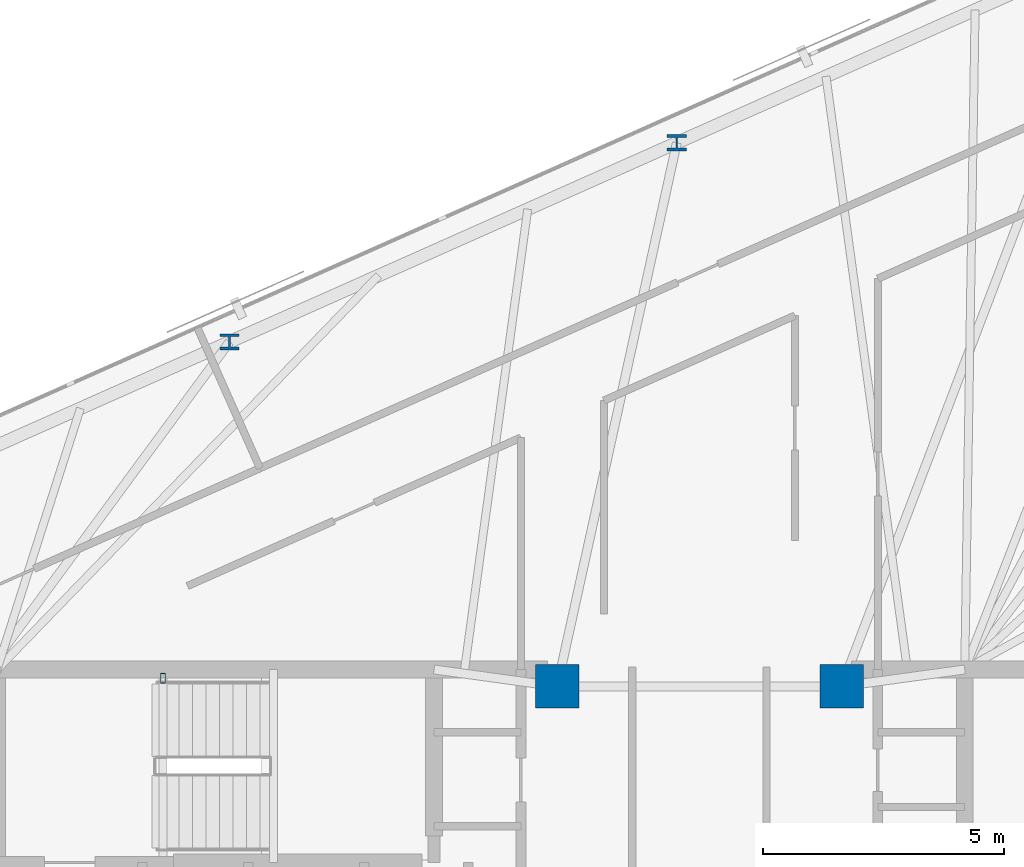
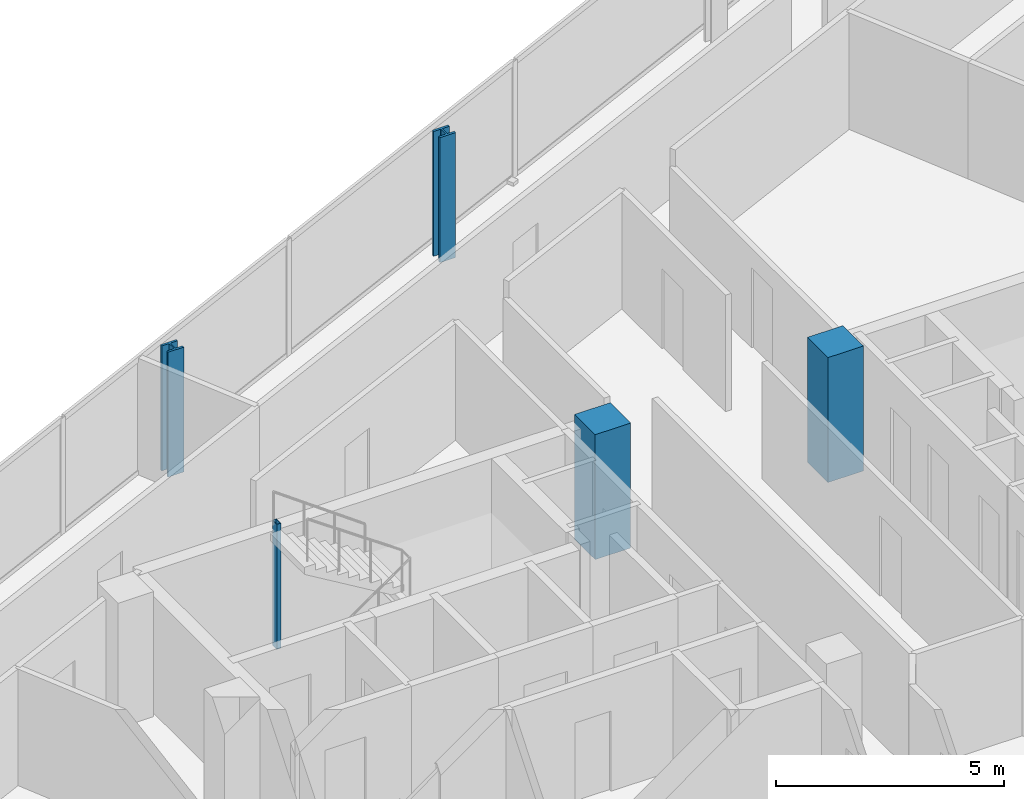
# One storey, part 2 of 18: 5 columns.
"""IFC4 building model written with IfcOpenShell, lengths in metres."""

from ifc_helpers import new_model, si_unit, direction, frame, origin, origin_2d, place, context, subcontext, project, spatial, rectangle, hollow_rectangle, i_section, extrude, material, material_profile, profile_set, type_object, element, save


model = new_model("IFC4")

# Units and contexts
model_context = context("Model", 3, precision=1e-05, world=origin(), true_north=direction((0.0, 1.0)))
body_context = subcontext(model_context, "Body", "Model", "MODEL_VIEW")
ifc_project = project(units=[si_unit("LENGTHUNIT", "METRE"), si_unit("AREAUNIT", "SQUARE_METRE"), si_unit("VOLUMEUNIT", "CUBIC_METRE"), si_unit("PLANEANGLEUNIT", "RADIAN"), si_unit("MASSUNIT", "GRAM", prefix="KILO")], contexts=[model_context])

# Site, building, storey
site_placement = place(None, origin())
site = spatial("IfcSite", under=ifc_project, at=site_placement, CompositionType="ELEMENT")
building_placement = place(site_placement, origin())
building = spatial("IfcBuilding", under=site, at=building_placement, Name="Menara Jurai Vektor", CompositionType="ELEMENT")
storey_placement = place(building_placement, frame((0.0, 0.0, 285.25)))
storey = spatial("IfcBuildingStorey", under=building, at=storey_placement, Name="L76", CompositionType="ELEMENT", Elevation=285.25)

# Columns
ifc_material_1 = material(Name="Concrete C50/60", Category="concrete")
ifc_material_profile_1 = material_profile(ifc_material_1, rectangle(XDim=0.89990234375, YDim=0.89990234375, at=origin_2d()), Name="RC 900x900")
ifc_profile_set_1 = profile_set([ifc_material_profile_1], Name="Concrete C50/60")
column_type_1 = type_object("IfcColumnType", Name="STR-COL-RC900", PredefinedType="COLUMN", material=ifc_profile_set_1)
for number, where, z_axis, x_axis, name in (
    (1, (-2.949951171875, 5.25, 0.0), (0.0, 0.0, 1.0), (1.0, 0.0, 0.0), "Core Spine Column CW-NE L76"),
    (2, (2.949951171875, 5.25, 0.0), (0.0, 0.0, 1.0), (1.0, 0.0, 0.0), "Core Spine Column CE-NW L76"),
):
    element("IfcColumn", number, at=place(storey_placement, frame(where, z_axis=z_axis, x_axis=x_axis)), inside=storey, type_object=column_type_1, Name=name, PredefinedType="COLUMN", context=body_context, shape_type="SweptSolid", body=[
        extrude(rectangle(XDim=0.89990234375, YDim=0.89990234375, at=origin_2d()), origin(), (0.0, 0.0, 1.0), 3.35009765625),
    ])
ifc_material_2 = material(Name="Steel S355", Category="steel")
ifc_material_profile_2 = material_profile(ifc_material_2, hollow_rectangle(XDim=0.10009765625, YDim=0.199951171875, WallThickness=0.008056640625, at=origin_2d()), Name="RHS 200x100x8")
ifc_profile_set_2 = profile_set([ifc_material_profile_2], Name="Steel S355")
column_type_2 = type_object("IfcColumnType", Name="STR-COL-STAIR", PredefinedType="COLUMN", material=ifc_profile_set_2)
column_placement = place(storey_placement, frame((-11.1201171875, 5.419921875, 0.0), z_axis=(0.0, 0.0, 1.0), x_axis=(1.0, 0.0, 0.0)))
element("IfcColumn", 3, at=column_placement, inside=storey, type_object=column_type_2, Name="Stair Well Header Column ST1-P2 L76", PredefinedType="COLUMN", context=body_context, shape_type="SweptSolid", body=[
    extrude(hollow_rectangle(XDim=0.10009765625, YDim=0.199951171875, WallThickness=0.008056640625, at=origin_2d()), origin(), (0.0, 0.0, 1.0), 3.35009765625),
])
ifc_material_3 = material(Name="Steel S460", Category="steel")
ifc_material_profile_3 = material_profile(ifc_material_3, i_section(OverallWidth=0.40087890625, OverallDepth=0.3349609375, WebThickness=0.035888671875, FlangeThickness=0.05810546875, FilletRadius=0.014892578125, at=origin_2d()), Name="HD 400x463")
ifc_profile_set_3 = profile_set([ifc_material_profile_3], Name="Steel S460")
column_type_3 = type_object("IfcColumnType", Name="STR-EXO-BLK5", PredefinedType="COLUMN", material=ifc_profile_set_3)
for number, where, z_axis, x_axis, name in (
    (4, (-0.467529296875, 16.519287109375, 0.0), (0.0, 0.0, 1.0), (1.0, 0.0, 0.0), "Exoskeleton Column BLK5-N3 L76"),
    (5, (-9.740966796875, 12.390380859375, 0.0), (0.0, 0.0, 1.0), (1.0, 0.0, 0.0), "Exoskeleton Column BLK5-N4 L76"),
):
    element("IfcColumn", number, at=place(storey_placement, frame(where, z_axis=z_axis, x_axis=x_axis)), inside=storey, type_object=column_type_3, Name=name, PredefinedType="COLUMN", context=body_context, shape_type="SweptSolid", body=[
        extrude(i_section(OverallWidth=0.40087890625, OverallDepth=0.3349609375, WebThickness=0.035888671875, FlangeThickness=0.05810546875, FilletRadius=0.014892578125, at=origin_2d()), origin(), (0.0, 0.0, 1.0), 3.35009765625),
    ])

save(model, "model.ifc")
